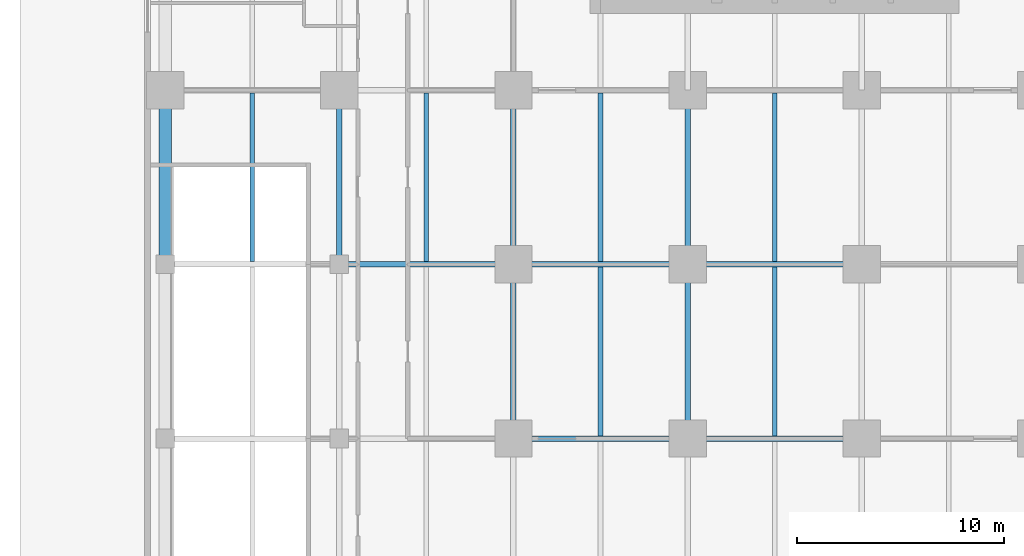
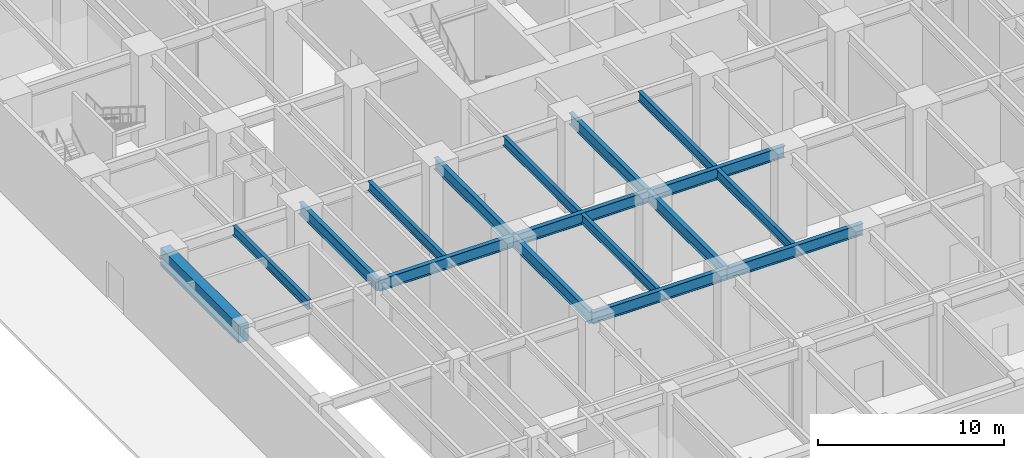
# One storey, part 3 of 21: 17 beams.
"""IFC4 building model written with IfcOpenShell, lengths in metres."""

from ifc_helpers import new_model, si_unit, direction, frame, origin, origin_2d, place, context, subcontext, project, spatial, rectangle, i_section, extrude, material, material_profile, profile_set, type_object, element, save


model = new_model("IFC4")

# Units and contexts
model_context = context("Model", 3, precision=1e-05, world=origin(), true_north=direction((0.0, 1.0)))
body_context = subcontext(model_context, "Body", "Model", "MODEL_VIEW")
ifc_project = project(units=[si_unit("LENGTHUNIT", "METRE"), si_unit("AREAUNIT", "SQUARE_METRE"), si_unit("VOLUMEUNIT", "CUBIC_METRE"), si_unit("PLANEANGLEUNIT", "RADIAN"), si_unit("MASSUNIT", "GRAM", prefix="KILO")], contexts=[model_context])

# Site, building, storey
site_placement = place(None, origin())
site = spatial("IfcSite", under=ifc_project, at=site_placement, CompositionType="ELEMENT")
building_placement = place(site_placement, origin())
building = spatial("IfcBuilding", under=site, at=building_placement, Name="Torre Alcanfor", CompositionType="ELEMENT")
storey_placement = place(building_placement, origin())
storey = spatial("IfcBuildingStorey", under=building, at=storey_placement, Name="L00", CompositionType="ELEMENT", Elevation=0.0)

# Beams
ifc_material_1 = material(Name="Steel ASTM A992 Grade 50", Category="steel")
ifc_material_profile_1 = material_profile(ifc_material_1, i_section(OverallWidth=0.2666015625, OverallDepth=0.7568359375, WebThickness=0.013916015625, FlangeThickness=0.019287109375, at=origin_2d()), Name="W30x108")
ifc_profile_set_1 = profile_set([ifc_material_profile_1], Name="Steel ASTM A992 Grade 50")
beam_type_1 = type_object("IfcBeamType", Name="Girder W30x108", PredefinedType="BEAM", material=ifc_profile_set_1)
beam_1_placement = place(storey_placement, frame((16.800048828125, 0.0, 5.421630859375), z_axis=(1.0, 0.0, 0.0), x_axis=(0.0, 1.0, 0.0)))
element("IfcBeam", 1, at=beam_1_placement, inside=storey, type_object=beam_type_1, Name="Beam 3C-4C under L01", PredefinedType="BEAM", context=body_context, shape_type="SweptSolid", body=[
    extrude(i_section(OverallWidth=0.2666015625, OverallDepth=0.7568359375, WebThickness=0.013916015625, FlangeThickness=0.019287109375, at=origin_2d()), origin(), (0.0, 0.0, 1.0), 8.39990234375),
])
for number, where, z_axis, x_axis, name in (
    (2, (25.199951171875, 0.0, 5.421630859375), (1.0, 0.0, 0.0), (0.0, 1.0, 0.0), "Beam 4C-5C under L01"),
    (3, (8.39990234375, 8.39990234375, 5.421630859375), (1.0, 0.0, 0.0), (0.0, 1.0, 0.0), "Beam 2D-3D under L01"),
):
    element("IfcBeam", number, at=place(storey_placement, frame(where, z_axis=z_axis, x_axis=x_axis)), inside=storey, type_object=beam_type_1, Name=name, PredefinedType="BEAM", context=body_context, shape_type="SweptSolid", body=[
        extrude(i_section(OverallWidth=0.2666015625, OverallDepth=0.7568359375, WebThickness=0.013916015625, FlangeThickness=0.019287109375, at=origin_2d()), origin(), (0.0, 0.0, 1.0), 8.400146484375),
    ])
beam_2_placement = place(storey_placement, frame((16.800048828125, 8.39990234375, 5.421630859375), z_axis=(1.0, 0.0, 0.0), x_axis=(0.0, 1.0, 0.0)))
element("IfcBeam", 4, at=beam_2_placement, inside=storey, type_object=beam_type_1, Name="Beam 3D-4D under L01", PredefinedType="BEAM", context=body_context, shape_type="SweptSolid", body=[
    extrude(i_section(OverallWidth=0.2666015625, OverallDepth=0.7568359375, WebThickness=0.013916015625, FlangeThickness=0.019287109375, at=origin_2d()), origin(), (0.0, 0.0, 1.0), 8.39990234375),
])
for number, where, z_axis, x_axis, name in (
    (5, (25.199951171875, 8.39990234375, 5.421630859375), (1.0, 0.0, 0.0), (0.0, 1.0, 0.0), "Beam 4D-5D under L01"),
    (6, (8.39990234375, 8.39990234375, 5.421630859375), (0.0, 1.0, 0.0), (-1.0, 0.0, 0.0), "Beam 2D-2E under L01"),
):
    element("IfcBeam", number, at=place(storey_placement, frame(where, z_axis=z_axis, x_axis=x_axis)), inside=storey, type_object=beam_type_1, Name=name, PredefinedType="BEAM", context=body_context, shape_type="SweptSolid", body=[
        extrude(i_section(OverallWidth=0.2666015625, OverallDepth=0.7568359375, WebThickness=0.013916015625, FlangeThickness=0.019287109375, at=origin_2d()), origin(), (0.0, 0.0, 1.0), 8.400146484375),
    ])
beam_3_placement = place(storey_placement, frame((16.800048828125, 0.0, 5.421630859375), z_axis=(0.0, 1.0, 0.0), x_axis=(-1.0, 0.0, 0.0)))
element("IfcBeam", 7, at=beam_3_placement, inside=storey, type_object=beam_type_1, Name="Beam 3C-3D under L01", PredefinedType="BEAM", context=body_context, shape_type="SweptSolid", body=[
    extrude(i_section(OverallWidth=0.2666015625, OverallDepth=0.7568359375, WebThickness=0.013916015625, FlangeThickness=0.019287109375, at=origin_2d()), origin(), (0.0, 0.0, 1.0), 8.39990234375),
])
beam_4_placement = place(storey_placement, frame((16.800048828125, 8.39990234375, 5.421630859375), z_axis=(0.0, 1.0, 0.0), x_axis=(-1.0, 0.0, 0.0)))
element("IfcBeam", 8, at=beam_4_placement, inside=storey, type_object=beam_type_1, Name="Beam 3D-3E under L01", PredefinedType="BEAM", context=body_context, shape_type="SweptSolid", body=[
    extrude(i_section(OverallWidth=0.2666015625, OverallDepth=0.7568359375, WebThickness=0.013916015625, FlangeThickness=0.019287109375, at=origin_2d()), origin(), (0.0, 0.0, 1.0), 8.400146484375),
])
beam_5_placement = place(storey_placement, frame((25.199951171875, 0.0, 5.421630859375), z_axis=(0.0, 1.0, 0.0), x_axis=(-1.0, 0.0, 0.0)))
element("IfcBeam", 9, at=beam_5_placement, inside=storey, type_object=beam_type_1, Name="Beam 4C-4D under L01", PredefinedType="BEAM", context=body_context, shape_type="SweptSolid", body=[
    extrude(i_section(OverallWidth=0.2666015625, OverallDepth=0.7568359375, WebThickness=0.013916015625, FlangeThickness=0.019287109375, at=origin_2d()), origin(), (0.0, 0.0, 1.0), 8.39990234375),
])
beam_6_placement = place(storey_placement, frame((25.199951171875, 8.39990234375, 5.421630859375), z_axis=(0.0, 1.0, 0.0), x_axis=(-1.0, 0.0, 0.0)))
element("IfcBeam", 10, at=beam_6_placement, inside=storey, type_object=beam_type_1, Name="Beam 4D-4E under L01", PredefinedType="BEAM", context=body_context, shape_type="SweptSolid", body=[
    extrude(i_section(OverallWidth=0.2666015625, OverallDepth=0.7568359375, WebThickness=0.013916015625, FlangeThickness=0.019287109375, at=origin_2d()), origin(), (0.0, 0.0, 1.0), 8.400146484375),
])
ifc_material_2 = material(Name="Concrete f'c 70 MPa", Category="concrete")
ifc_material_profile_2 = material_profile(ifc_material_2, rectangle(XDim=0.60009765625, YDim=1.199951171875, at=origin_2d()), Name="600x1200")
ifc_profile_set_2 = profile_set([ifc_material_profile_2], Name="Concrete f'c 70 MPa")
beam_type_2 = type_object("IfcBeamType", Name="RC perimeter beam 600x1200", PredefinedType="BEAM", material=ifc_profile_set_2)
beam_7_placement = place(storey_placement, frame((0.0, 8.39990234375, 5.199951171875), z_axis=(0.0, 1.0, 0.0), x_axis=(-1.0, 0.0, 0.0)))
element("IfcBeam", 11, at=beam_7_placement, inside=storey, type_object=beam_type_2, Name="Beam 1D-1E under L01", PredefinedType="BEAM", context=body_context, shape_type="SweptSolid", body=[
    extrude(rectangle(XDim=0.60009765625, YDim=1.199951171875, at=origin_2d()), origin(), (0.0, 0.0, 1.0), 8.400146484375),
])
ifc_material_3 = material(Name="Steel ASTM A992 Grade 50", Category="steel")
ifc_material_profile_3 = material_profile(ifc_material_3, i_section(OverallWidth=0.22900390625, OverallDepth=0.612060546875, WebThickness=0.011962890625, FlangeThickness=0.01953125, at=origin_2d()), Name="W24x84")
ifc_profile_set_3 = profile_set([ifc_material_profile_3], Name="Steel ASTM A992 Grade 50")
beam_type_3 = type_object("IfcBeamType", Name="Secondary beam W24x84", PredefinedType="BEAM", material=ifc_profile_set_3)
for number, where, z_axis, x_axis, name in (
    (12, (4.199951171875, 8.532958984375, 5.493896484375), (0.0, 1.0, 0.0), (-1.0, 0.0, 0.0), "Beam 4_2D-4_2E under L01"),
    (13, (12.60009765625, 8.532958984375, 5.493896484375), (0.0, 1.0, 0.0), (-1.0, 0.0, 0.0), "Beam 12_6D-12_6E under L01"),
    (14, (21.0, 0.133056640625, 5.493896484375), (0.0, 1.0, 0.0), (-1.0, 0.0, 0.0), "Beam 21C-21D under L01"),
    (15, (21.0, 8.532958984375, 5.493896484375), (0.0, 1.0, 0.0), (-1.0, 0.0, 0.0), "Beam 21D-21E under L01"),
    (16, (29.39990234375, 0.133056640625, 5.493896484375), (0.0, 1.0, 0.0), (-1.0, 0.0, 0.0), "Beam 29_4C-29_4D under L01"),
    (17, (29.39990234375, 8.532958984375, 5.493896484375), (0.0, 1.0, 0.0), (-1.0, 0.0, 0.0), "Beam 29_4D-29_4E under L01"),
):
    element("IfcBeam", number, at=place(storey_placement, frame(where, z_axis=z_axis, x_axis=x_axis)), inside=storey, type_object=beam_type_3, Name=name, PredefinedType="BEAM", context=body_context, shape_type="SweptSolid", body=[
        extrude(i_section(OverallWidth=0.22900390625, OverallDepth=0.612060546875, WebThickness=0.011962890625, FlangeThickness=0.01953125, at=origin_2d()), origin(), (0.0, 0.0, 1.0), 8.134033203125),
    ])

save(model, "model.ifc")
